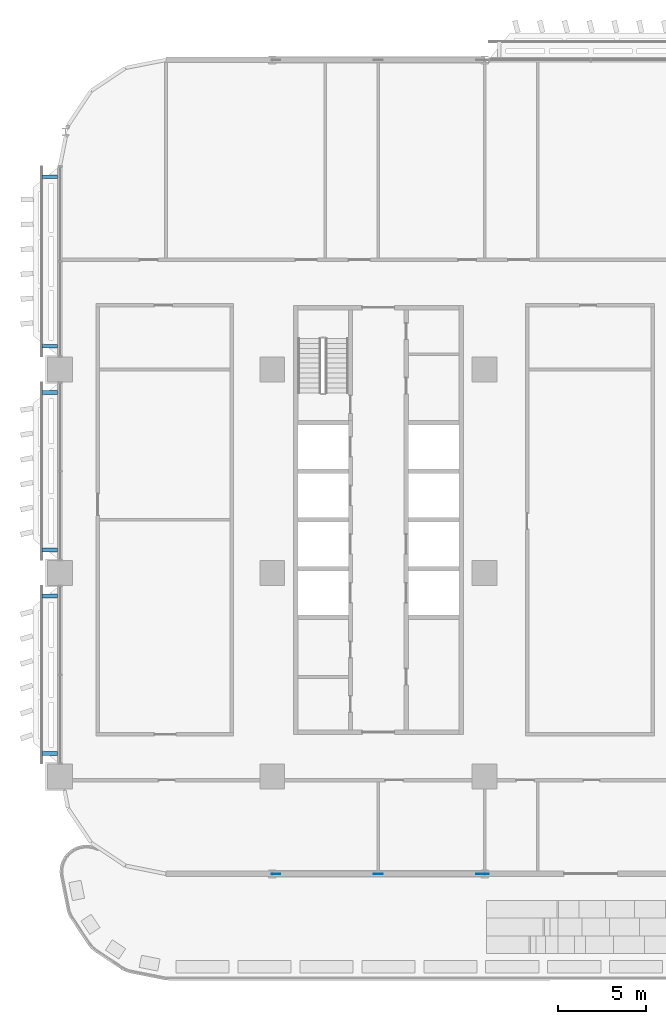
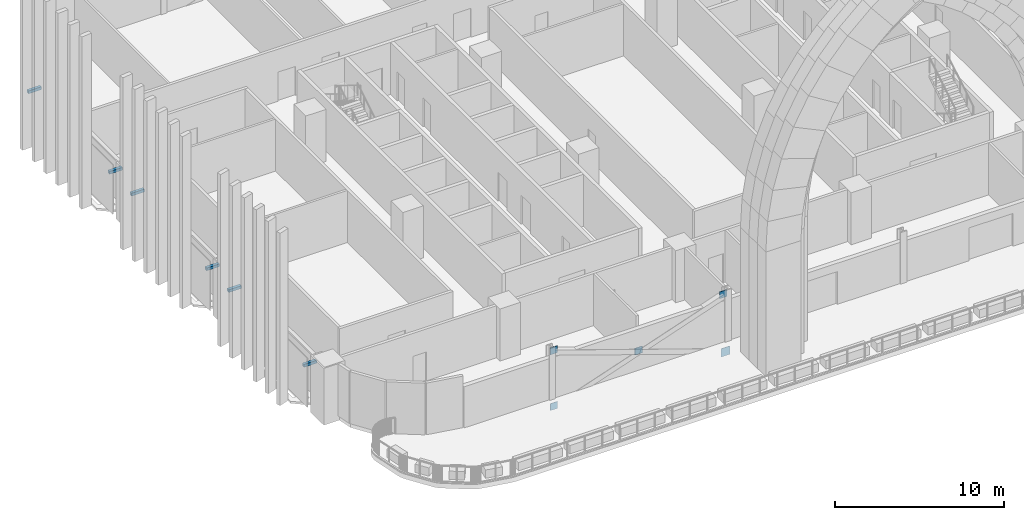
# One storey, part 17 of 31: 11 discrete accessories.
"""IFC4 building model written with IfcOpenShell, lengths in metres."""

from ifc_helpers import new_model, si_unit, direction, frame, origin, origin_2d, place, context, subcontext, project, spatial, rectangle, extrude, material, layer, layer_set, type_object, element, save


model = new_model("IFC4")

# Units and contexts
model_context = context("Model", 3, precision=1e-05, world=origin(), true_north=direction((0.0, 1.0)))
body_context = subcontext(model_context, "Body", "Model", "MODEL_VIEW")
ifc_project = project(units=[si_unit("LENGTHUNIT", "METRE"), si_unit("AREAUNIT", "SQUARE_METRE"), si_unit("VOLUMEUNIT", "CUBIC_METRE"), si_unit("PLANEANGLEUNIT", "RADIAN"), si_unit("MASSUNIT", "GRAM", prefix="KILO")], contexts=[model_context])

# Site, building, storey
site_placement = place(None, origin())
site = spatial("IfcSite", under=ifc_project, at=site_placement, CompositionType="ELEMENT")
building_placement = place(site_placement, origin())
building = spatial("IfcBuilding", under=site, at=building_placement, Name="Mahtab Terrace Research Tower", CompositionType="ELEMENT")
storey_placement = place(building_placement, frame((0.0, 0.0, 84.800048828125)))
storey = spatial("IfcBuildingStorey", under=building, at=storey_placement, Name="L19", CompositionType="ELEMENT", Elevation=84.800048828125)

# Discrete accessories
ifc_material_1 = material(Name="Black anodised aluminium", Category="aluminium")
discrete_accessory_type_1 = type_object("IfcDiscreteAccessoryType", Name="Facade bracket", PredefinedType="BRACKET", material=ifc_material_1)
for number, where, z_axis, x_axis, name in (
    (1, (-42.5625, 22.39990234375, 2.703125), (0.0, 0.0, 1.0), (0.0, -1.0, 0.0), "Screen bracket Girih screen L19 W17"),
    (2, (-42.5625, 12.800048828125, 2.703125), (0.0, 0.0, 1.0), (0.0, -1.0, 0.0), "Screen bracket Girih screen L19 W17"),
    (3, (-42.5625, 10.199951171875, 2.703125), (0.0, 0.0, 1.0), (0.0, -1.0, 0.0), "Screen bracket Girih screen L19 W18"),
    (4, (-42.5625, 1.300048828125, 2.703125), (0.0, 0.0, 1.0), (0.0, -1.0, 0.0), "Screen bracket Girih screen L19 W18"),
    (5, (-42.5625, -1.300048828125, 2.703125), (0.0, 0.0, 1.0), (0.0, -1.0, 0.0), "Screen bracket Girih screen L19 W19"),
    (6, (-42.5625, -10.199951171875, 2.703125), (0.0, 0.0, 1.0), (0.0, -1.0, 0.0), "Screen bracket Girih screen L19 W19"),
):
    element("IfcDiscreteAccessory", number, at=place(storey_placement, frame(where, z_axis=z_axis, x_axis=x_axis)), inside=storey, type_object=discrete_accessory_type_1, Name=name, PredefinedType="BRACKET", context=body_context, shape_type="SweptSolid", body=[
        extrude(rectangle(XDim=0.199951171875, YDim=0.875, at=origin_2d()), origin(), (0.0, 0.0, 1.0), 0.199951171875),
    ])
ifc_material_2 = material(Name="Steel ASTM A992 Gr 50", Category="steel")
ifc_layer_1 = layer(ifc_material_2, 0.030029296875)
ifc_layer_set_1 = layer_set([ifc_layer_1], Name="Gusset plate 500x500x30")
discrete_accessory_type_2 = type_object("IfcDiscreteAccessoryType", Name="Gusset plate 500x500x30", PredefinedType="USERDEFINED", material=ifc_layer_set_1)
for number, where, z_axis, x_axis, name in (
    (7, (-29.790283203125, -17.0, -0.89697265625), (0.0, 0.0, 1.0), (1.0, 0.0, 0.0), "Gusset plate"),
    (8, (-29.790283203125, -17.0, 3.131591796875), (0.0, 0.0, 1.0), (1.0, 0.0, 0.0), "Gusset plate"),
    (9, (-24.0, -17.0, 1.08154296875), (0.0, 0.0, 1.0), (1.0, 0.0, 0.0), "Gusset plate"),
    (10, (-18.209716796875, -17.0, 3.131591796875), (0.0, 0.0, 1.0), (1.0, 0.0, 0.0), "Gusset plate"),
):
    element("IfcDiscreteAccessory", number, at=place(storey_placement, frame(where, z_axis=z_axis, x_axis=x_axis)), inside=storey, type_object=discrete_accessory_type_2, Name=name, ObjectType="GUSSET PLATE", PredefinedType="USERDEFINED", context=body_context, shape_type="SweptSolid", body=[
        extrude(rectangle(XDim=0.5, YDim=0.030029296875, at=origin_2d()), origin(), (0.0, 0.0, 1.0), 0.5),
    ])
ifc_layer_2 = layer(ifc_material_2, 0.030029296875)
ifc_layer_set_2 = layer_set([ifc_layer_2], Name="Gusset plate 600x600x30")
discrete_accessory_type_3 = type_object("IfcDiscreteAccessoryType", Name="Gusset plate 600x600x30", PredefinedType="USERDEFINED", material=ifc_layer_set_2)
discrete_accessory_placement = place(storey_placement, frame((-18.06982421875, -17.0, -1.114990234375), z_axis=(0.0, 0.0, 1.0), x_axis=(1.0, 0.0, 0.0)))
element("IfcDiscreteAccessory", 11, at=discrete_accessory_placement, inside=storey, type_object=discrete_accessory_type_3, Name="Gusset plate", ObjectType="GUSSET PLATE", PredefinedType="USERDEFINED", context=body_context, shape_type="SweptSolid", body=[
    extrude(rectangle(XDim=0.60009765625, YDim=0.030029296875, at=origin_2d()), origin(), (0.0, 0.0, 1.0), 0.60009765625),
])

save(model, "model.ifc")
